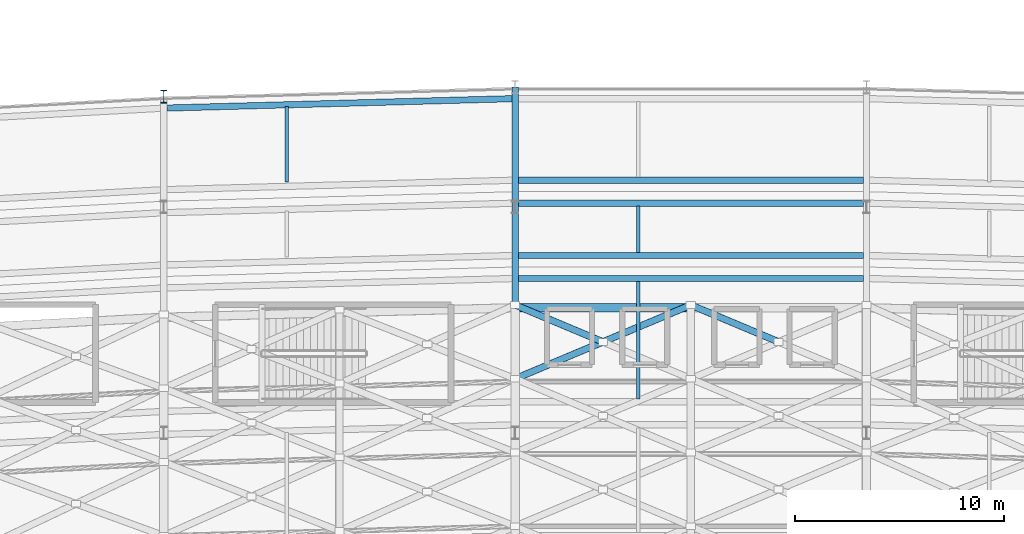
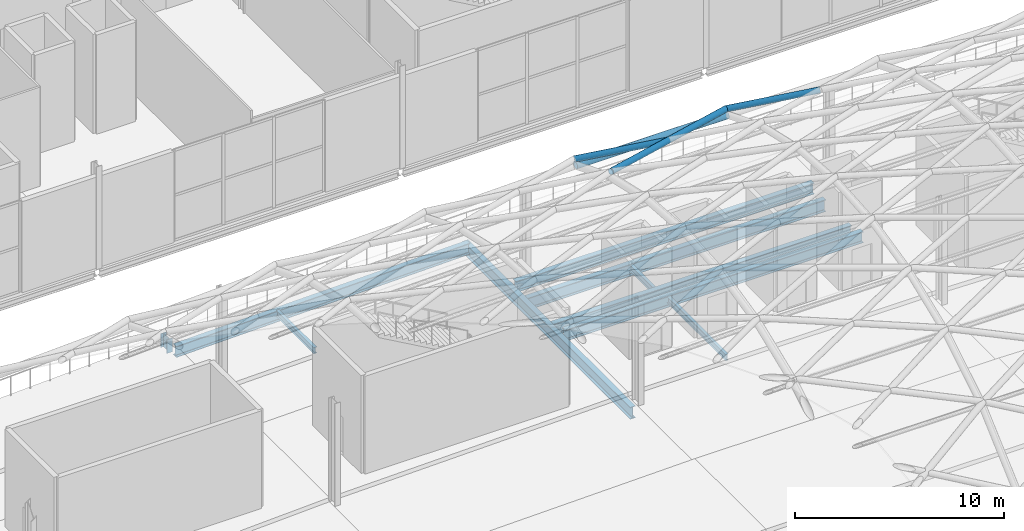
# One storey, part 34 of 100: 9 beams, 5 members.
"""IFC4 building model written with IfcOpenShell, lengths in metres."""

from ifc_helpers import new_model, si_unit, direction, frame, origin, origin_2d, place, context, subcontext, project, spatial, hollow_circle, i_section, extrude, material, material_profile, profile_set, type_object, element, save


model = new_model("IFC4")

# Units and contexts
model_context = context("Model", 3, precision=1e-05, world=origin(), true_north=direction((0.0, 1.0)))
body_context = subcontext(model_context, "Body", "Model", "MODEL_VIEW")
ifc_project = project(units=[si_unit("LENGTHUNIT", "METRE"), si_unit("AREAUNIT", "SQUARE_METRE"), si_unit("VOLUMEUNIT", "CUBIC_METRE"), si_unit("PLANEANGLEUNIT", "RADIAN"), si_unit("MASSUNIT", "GRAM", prefix="KILO")], contexts=[model_context])

# Site, building, storey
site_placement = place(None, origin())
site = spatial("IfcSite", under=ifc_project, at=site_placement, CompositionType="ELEMENT")
building_placement = place(site_placement, origin())
building = spatial("IfcBuilding", under=site, at=building_placement, Name="Kimbaza Rail Terminus", CompositionType="ELEMENT")
storey_placement = place(building_placement, frame((0.0, 0.0, 10.800048828125)))
storey = spatial("IfcBuildingStorey", under=building, at=storey_placement, Name="L02", CompositionType="ELEMENT", Elevation=10.800048828125)

# Beams
ifc_material_1 = material(Name="Steel S355", Category="steel")
ifc_material_profile_1 = material_profile(ifc_material_1, i_section(OverallWidth=0.300048828125, OverallDepth=0.64990234375, WebThickness=0.01611328125, FlangeThickness=0.031005859375, FilletRadius=0.027099609375, at=origin_2d()), Name="HEB 650")
ifc_profile_set_1 = profile_set([ifc_material_profile_1], Name="Steel S355")
beam_type_1 = type_object("IfcBeamType", Name="STR-BM-HEB650", PredefinedType="USERDEFINED", material=ifc_profile_set_1)
beam_1_placement = place(storey_placement, frame((88.945068359375, 95.74169921875, -0.5849609375), z_axis=(0.999632852013, 0.027095408765, 0.0), x_axis=(-0.027095408765, 0.999632852013, 0.0)))
element("IfcBeam", 1, at=beam_1_placement, inside=storey, type_object=beam_type_1, Name="Viaduct Chorded Girder P4 Bay 05", ObjectType="GIRDER", PredefinedType="USERDEFINED", context=body_context, shape_type="SweptSolid", body=[
    extrude(i_section(OverallWidth=0.300048828125, OverallDepth=0.64990234375, WebThickness=0.01611328125, FlangeThickness=0.031005859375, FilletRadius=0.027099609375, at=origin_2d()), origin(), (0.0, 0.0, 1.0), 16.51611328125),
])
for number, where, z_axis, x_axis, name in (
    (2, (105.7451171875, 87.593017578125, -0.5849609375), (1.0, 0.0, 0.0), (0.0, 1.0, 0.0), "Viaduct Chorded Girder P3 Bay 06"),
    (3, (105.7451171875, 92.293212890625, -0.5849609375), (1.0, 0.0, 0.0), (0.0, 1.0, 0.0), "Viaduct Chorded Girder P4 Bay 06"),
):
    element("IfcBeam", number, at=place(storey_placement, frame(where, z_axis=z_axis, x_axis=x_axis)), inside=storey, type_object=beam_type_1, Name=name, ObjectType="GIRDER", PredefinedType="USERDEFINED", context=body_context, shape_type="SweptSolid", body=[
        extrude(i_section(OverallWidth=0.300048828125, OverallDepth=0.64990234375, WebThickness=0.01611328125, FlangeThickness=0.031005859375, FilletRadius=0.027099609375, at=origin_2d()), origin(), (0.0, 0.0, 1.0), 16.509765625),
    ])
ifc_material_2 = material(Name="Steel S355", Category="steel")
ifc_material_profile_2 = material_profile(ifc_material_2, i_section(OverallWidth=0.300048828125, OverallDepth=0.699951171875, WebThickness=0.01708984375, FlangeThickness=0.031982421875, FilletRadius=0.027099609375, at=origin_2d()), Name="HEB 700")
ifc_profile_set_2 = profile_set([ifc_material_profile_2], Name="Steel S355")
beam_type_2 = type_object("IfcBeamType", Name="STR-BM-HEB700", PredefinedType="USERDEFINED", material=ifc_profile_set_2)
beam_2_placement = place(storey_placement, frame((105.60009765625, 80.697998046875, -0.920166015625), z_axis=(0.0, 1.0, 0.0), x_axis=(-1.0, 0.0, 0.0)))
element("IfcBeam", 4, at=beam_2_placement, inside=storey, type_object=beam_type_2, Name="Viaduct North Crosshead Girder VP-06", ObjectType="GIRDER", PredefinedType="USERDEFINED", context=body_context, shape_type="SweptSolid", body=[
    extrude(i_section(OverallWidth=0.300048828125, OverallDepth=0.699951171875, WebThickness=0.01708984375, FlangeThickness=0.031982421875, FilletRadius=0.027099609375, at=origin_2d()), origin(), (0.0, 0.0, 1.0), 16.045166015625),
])
for number, where, z_axis, x_axis, name in (
    (5, (105.7451171875, 88.693115234375, -0.920166015625), (1.0, 0.0, 0.0), (0.0, 1.0, 0.0), "Viaduct Chorded Girder TR56 Bay 06"),
    (6, (105.7451171875, 91.193115234375, -0.920166015625), (1.0, 0.0, 0.0), (0.0, 1.0, 0.0), "Viaduct Chorded Girder TR56 Bay 06"),
):
    element("IfcBeam", number, at=place(storey_placement, frame(where, z_axis=z_axis, x_axis=x_axis)), inside=storey, type_object=beam_type_2, Name=name, ObjectType="GIRDER", PredefinedType="USERDEFINED", context=body_context, shape_type="SweptSolid", body=[
        extrude(i_section(OverallWidth=0.300048828125, OverallDepth=0.699951171875, WebThickness=0.01708984375, FlangeThickness=0.031982421875, FilletRadius=0.027099609375, at=origin_2d()), origin(), (0.0, 0.0, 1.0), 16.509765625),
    ])
ifc_material_3 = material(Name="Steel S355", Category="steel")
ifc_material_profile_3 = material_profile(ifc_material_3, i_section(OverallWidth=0.169921875, OverallDepth=0.360107421875, WebThickness=0.008056640625, FlangeThickness=0.0126953125, FilletRadius=0.01806640625, at=origin_2d()), Name="IPE 360")
ifc_profile_set_3 = profile_set([ifc_material_profile_3], Name="Steel S355")
beam_type_3 = type_object("IfcBeamType", Name="STR-BM-IPE360", PredefinedType="JOIST", material=ifc_profile_set_3)
beam_3_placement = place(storey_placement, frame((94.679931640625, 92.21044921875, -0.43994140625), z_axis=(0.0, 1.0, 0.0), x_axis=(-1.0, 0.0, 0.0)))
element("IfcBeam", 7, at=beam_3_placement, inside=storey, type_object=beam_type_3, Name="Viaduct Diaphragm P4 Bay 05", PredefinedType="JOIST", context=body_context, shape_type="SweptSolid", body=[
    extrude(i_section(OverallWidth=0.169921875, OverallDepth=0.360107421875, WebThickness=0.008056640625, FlangeThickness=0.0126953125, FilletRadius=0.01806640625, at=origin_2d()), origin(), (0.0, 0.0, 1.0), 3.60986328125),
])
beam_4_placement = place(storey_placement, frame((111.47998046875, 81.838134765625, -0.43994140625), z_axis=(0.0, 1.0, 0.0), x_axis=(-1.0, 0.0, 0.0)))
element("IfcBeam", 8, at=beam_4_placement, inside=storey, type_object=beam_type_3, Name="Viaduct Diaphragm P3 Bay 06", PredefinedType="JOIST", context=body_context, shape_type="SweptSolid", body=[
    extrude(i_section(OverallWidth=0.169921875, OverallDepth=0.360107421875, WebThickness=0.008056640625, FlangeThickness=0.0126953125, FilletRadius=0.01806640625, at=origin_2d()), origin(), (0.0, 0.0, 1.0), 5.60986328125),
])
beam_5_placement = place(storey_placement, frame((111.47998046875, 88.838134765625, -0.75), z_axis=(0.0, 1.0, 0.0), x_axis=(-1.0, 0.0, 0.0)))
element("IfcBeam", 9, at=beam_5_placement, inside=storey, type_object=beam_type_3, Name="Viaduct Diaphragm TR56 Bay 06", PredefinedType="JOIST", context=body_context, shape_type="SweptSolid", body=[
    extrude(i_section(OverallWidth=0.169921875, OverallDepth=0.360107421875, WebThickness=0.008056640625, FlangeThickness=0.0126953125, FilletRadius=0.01806640625, at=origin_2d()), origin(), (0.0, 0.0, 1.0), 2.2099609375),
])

# Members
ifc_material_4 = material(Name="White painted steel S355", Category="steel")
ifc_material_profile_4 = material_profile(ifc_material_4, hollow_circle(Radius=0.161865234375, WallThickness=0.010009765625, at=origin_2d()), Name="CHS 323.9x10")
ifc_profile_set_4 = profile_set([ifc_material_profile_4], Name="White painted steel S355")
member_type_1 = type_object("IfcMemberType", Name="STR-MB-CHS323", PredefinedType="STRUT", material=ifc_profile_set_4)
member_1_placement = place(storey_placement, frame((105.60009765625, 82.79638671875, 11.9111328125), z_axis=(0.911165232301, 0.382543212829, -0.153096733358), x_axis=(-0.387106733867, 0.922034910725, 0.0)))
element("IfcMember", 10, at=member_1_placement, inside=storey, type_object=member_type_1, Name="Vault lattice diagonal A VR-10-VA09", PredefinedType="STRUT", context=body_context, shape_type="SweptSolid", body=[
    extrude(hollow_circle(Radius=0.161865234375, WallThickness=0.010009765625, at=origin_2d()), origin(), (0.0, 0.0, 1.0), 9.21875),
])
for number, where, z_axis, x_axis, name in (
    (11, (109.800048828125, 84.559814453125, 11.20556640625), (-0.911170768291, 0.382519054153, -0.153124146435), (-0.38708395067, -0.922044475681, 0.0), "Vault lattice diagonal B2 VR-10-VA09"),
    (12, (118.199951171875, 84.559814453125, 11.20556640625), (-0.911170768291, 0.382519054153, -0.153124146435), (-0.38708395067, -0.922044475681, 0.0), "Vault lattice diagonal B2 VR-11-VA09"),
):
    element("IfcMember", number, at=place(storey_placement, frame(where, z_axis=z_axis, x_axis=x_axis)), inside=storey, type_object=member_type_1, Name=name, PredefinedType="STRUT", context=body_context, shape_type="SweptSolid", body=[
        extrude(hollow_circle(Radius=0.161865234375, WallThickness=0.010009765625, at=origin_2d()), origin(), (0.0, 0.0, 1.0), 4.609375),
    ])
ifc_material_5 = material(Name="White painted steel S355", Category="steel")
ifc_material_profile_5 = material_profile(ifc_material_5, hollow_circle(Radius=0.203125, WallThickness=0.01416015625, at=origin_2d()), Name="CHS 406.4x14.2")
ifc_profile_set_5 = profile_set([ifc_material_profile_5], Name="White painted steel S355")
member_type_2 = type_object("IfcMemberType", Name="STR-MB-CHS406", PredefinedType="CHORD", material=ifc_profile_set_5)
member_2_placement = place(storey_placement, frame((105.60009765625, 86.189697265625, 10.23095703125), z_axis=(1.0, 0.0, 0.0), x_axis=(0.0, 1.0, 0.0)))
element("IfcMember", 13, at=member_2_placement, inside=storey, type_object=member_type_2, Name="Vault lattice springing ring chord VR-10", PredefinedType="CHORD", context=body_context, shape_type="SweptSolid", body=[
    extrude(hollow_circle(Radius=0.203125, WallThickness=0.01416015625, at=origin_2d()), origin(), (0.0, 0.0, 1.0), 8.39990234375),
])
ifc_material_6 = material(Name="Steel S355", Category="steel")
ifc_material_profile_6 = material_profile(ifc_material_6, i_section(OverallWidth=0.304931640625, OverallDepth=0.6201171875, WebThickness=0.02099609375, FlangeThickness=0.0400390625, FilletRadius=0.027099609375, at=origin_2d()), Name="HEM 600")
ifc_profile_set_6 = profile_set([ifc_material_profile_6], Name="Steel S355")
member_type_3 = type_object("IfcMemberType", Name="STR-MB-HEM600", PredefinedType="POST", material=ifc_profile_set_6)
member_3_placement = place(storey_placement, frame((88.800048828125, 96.28759765625, -0.800048828125), z_axis=(0.0, 0.0, 1.0), x_axis=(1.0, 0.0, 0.0)))
element("IfcMember", 14, at=member_3_placement, inside=storey, type_object=member_type_3, Name="Vault Springing Shoe Pedestal N VP-05", PredefinedType="POST", context=body_context, shape_type="SweptSolid", body=[
    extrude(i_section(OverallWidth=0.304931640625, OverallDepth=0.6201171875, WebThickness=0.02099609375, FlangeThickness=0.0400390625, FilletRadius=0.027099609375, at=origin_2d()), origin(), (0.0, 0.0, 1.0), 0.800048828125),
])

save(model, "model.ifc")
